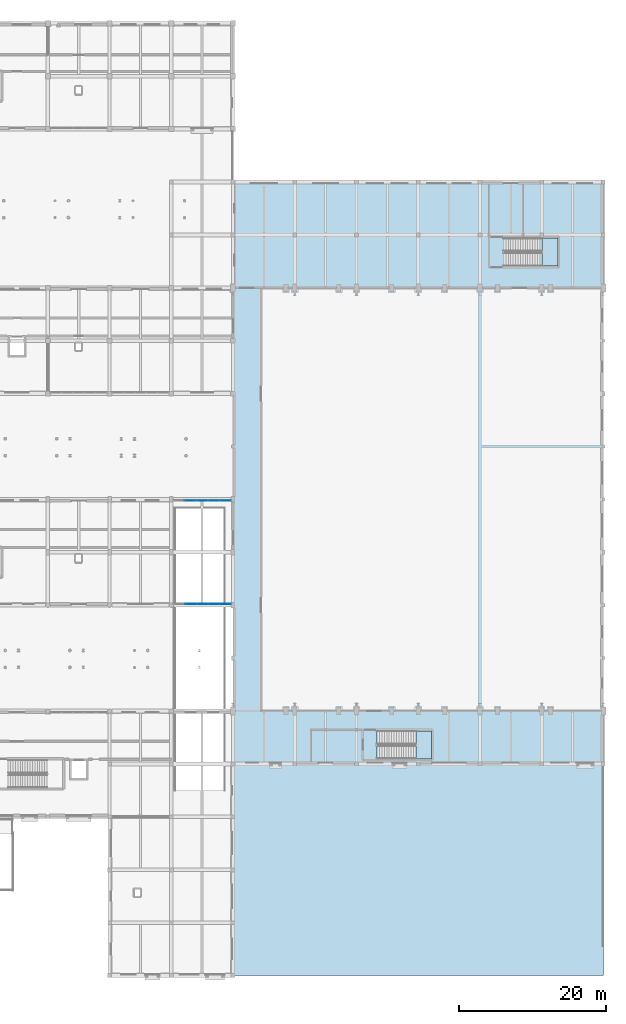
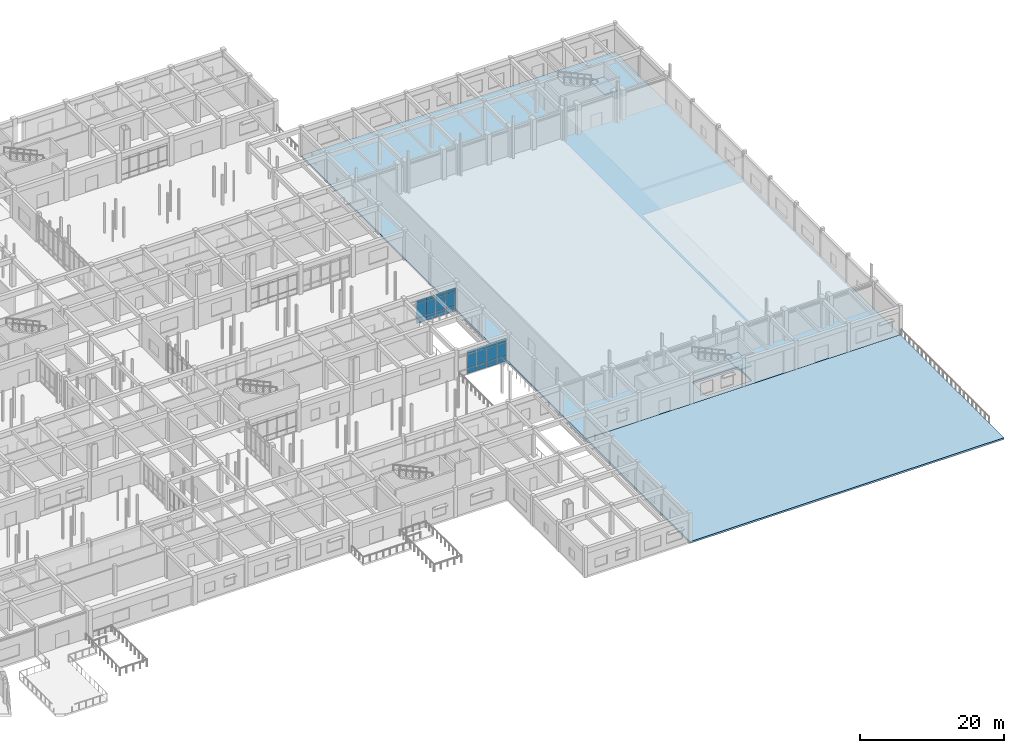
# One storey, part 71 of 121: 24 plates, 4 slabs, 4 elements without a shape of their own.
"""IFC4 building model written with IfcOpenShell, lengths in metres."""

from ifc_helpers import new_model, si_unit, direction, frame, origin, origin_2d, place, context, subcontext, project, spatial, polyline, rectangle, outline, extrude, material, layer, layer_set, type_object, element, aggregate, save


model = new_model("IFC4")

# Units and contexts
model_context = context("Model", 3, precision=1e-05, world=origin(), true_north=direction((0.0, 1.0)))
body_context = subcontext(model_context, "Body", "Model", "MODEL_VIEW")
ifc_project = project(units=[si_unit("LENGTHUNIT", "METRE"), si_unit("AREAUNIT", "SQUARE_METRE"), si_unit("VOLUMEUNIT", "CUBIC_METRE"), si_unit("PLANEANGLEUNIT", "RADIAN"), si_unit("MASSUNIT", "GRAM", prefix="KILO")], contexts=[model_context])

# Site, building, storey
site_placement = place(None, origin())
site = spatial("IfcSite", under=ifc_project, at=site_placement, CompositionType="ELEMENT")
building_placement = place(site_placement, origin())
building = spatial("IfcBuilding", under=site, at=building_placement, Name="Malvenik Polytechnic", CompositionType="ELEMENT")
storey_placement = place(building_placement, origin())
storey = spatial("IfcBuildingStorey", under=building, at=storey_placement, Name="L00", CompositionType="ELEMENT", Elevation=0.0)

# Curtain wall, plates
ifc_material_1 = material(Name="Anodised aluminium 6060-T6", Category="aluminium")
curtain_wall_type = type_object("IfcCurtainWallType", Name="ARC-CW-CW-01", PredefinedType="NOTDEFINED", material=ifc_material_1)
curtain_wall_1_placement = place(storey_placement, origin())
curtain_wall_1 = element("IfcCurtainWall", 1, at=curtain_wall_1_placement, inside=storey, type_object=curtain_wall_type, Name="Unitised Curtain Wall CW-01 L00 #14", PredefinedType="NOTDEFINED")
ifc_material_2 = material(Name="Triple solar-control glazing 8-14-6-14-8", Category="glass")
ifc_layer_1 = layer(ifc_material_2, 0.035888671875)
ifc_layer_set_1 = layer_set([ifc_layer_1], Name="Triple solar-control glazing 8-14-6-14-8")
plate_type_1 = type_object("IfcPlateType", Name="ARC-CWP-CP-GLZ36", PredefinedType="CURTAIN_PANEL", material=ifc_layer_set_1)
plate_1_placement = place(storey_placement, frame((133.3515625, 50.570068359375, 0.97998046875), z_axis=(0.0, 0.0, 1.0), x_axis=(-1.0, 0.0, 0.0)))
plate_1 = element("IfcPlate", 2, at=plate_1_placement, type_object=plate_type_1, Name="CW-01 panel 1.2", PredefinedType="CURTAIN_PANEL", context=body_context, shape_type="SweptSolid", body=[
    extrude(rectangle(XDim=1.480712890625, YDim=0.028076171875, at=origin_2d()), origin(), (0.0, 0.0, 1.0), 2.35009765625),
])
plate_2_placement = place(storey_placement, frame((133.3515625, 50.570068359375, 3.389892578125), z_axis=(0.0, 0.0, 1.0), x_axis=(-1.0, 0.0, 0.0)))
plate_2 = element("IfcPlate", 3, at=plate_2_placement, type_object=plate_type_1, Name="CW-01 panel 1.3", PredefinedType="CURTAIN_PANEL", context=body_context, shape_type="SweptSolid", body=[
    extrude(rectangle(XDim=1.480712890625, YDim=0.028076171875, at=origin_2d()), origin(), (0.0, 0.0, 1.0), 0.56005859375),
])
plate_3_placement = place(storey_placement, frame((131.7958984375, 50.570068359375, 0.97998046875), z_axis=(0.0, 0.0, 1.0), x_axis=(-1.0, 0.0, 0.0)))
plate_3 = element("IfcPlate", 4, at=plate_3_placement, type_object=plate_type_1, Name="CW-01 panel 2.2", PredefinedType="CURTAIN_PANEL", context=body_context, shape_type="SweptSolid", body=[
    extrude(rectangle(XDim=1.5107421875, YDim=0.028076171875, at=origin_2d()), origin(), (0.0, 0.0, 1.0), 2.35009765625),
])
plate_4_placement = place(storey_placement, frame((131.7958984375, 50.570068359375, 3.389892578125), z_axis=(0.0, 0.0, 1.0), x_axis=(-1.0, 0.0, 0.0)))
plate_4 = element("IfcPlate", 5, at=plate_4_placement, type_object=plate_type_1, Name="CW-01 panel 2.3", PredefinedType="CURTAIN_PANEL", context=body_context, shape_type="SweptSolid", body=[
    extrude(rectangle(XDim=1.5107421875, YDim=0.028076171875, at=origin_2d()), origin(), (0.0, 0.0, 1.0), 0.56005859375),
])
plate_5_placement = place(storey_placement, frame((130.22509765625, 50.570068359375, 0.97998046875), z_axis=(0.0, 0.0, 1.0), x_axis=(-1.0, 0.0, 0.0)))
plate_5 = element("IfcPlate", 6, at=plate_5_placement, type_object=plate_type_1, Name="CW-01 panel 3.2", PredefinedType="CURTAIN_PANEL", context=body_context, shape_type="SweptSolid", body=[
    extrude(rectangle(XDim=1.5107421875, YDim=0.028076171875, at=origin_2d()), origin(), (0.0, 0.0, 1.0), 2.35009765625),
])
plate_6_placement = place(storey_placement, frame((130.22509765625, 50.570068359375, 3.389892578125), z_axis=(0.0, 0.0, 1.0), x_axis=(-1.0, 0.0, 0.0)))
plate_6 = element("IfcPlate", 7, at=plate_6_placement, type_object=plate_type_1, Name="CW-01 panel 3.3", PredefinedType="CURTAIN_PANEL", context=body_context, shape_type="SweptSolid", body=[
    extrude(rectangle(XDim=1.5107421875, YDim=0.028076171875, at=origin_2d()), origin(), (0.0, 0.0, 1.0), 0.56005859375),
])
plate_7_placement = place(storey_placement, frame((128.654296875, 50.570068359375, 0.97998046875), z_axis=(0.0, 0.0, 1.0), x_axis=(-1.0, 0.0, 0.0)))
plate_7 = element("IfcPlate", 8, at=plate_7_placement, type_object=plate_type_1, Name="CW-01 panel 4.2", PredefinedType="CURTAIN_PANEL", context=body_context, shape_type="SweptSolid", body=[
    extrude(rectangle(XDim=1.5107421875, YDim=0.028076171875, at=origin_2d()), origin(), (0.0, 0.0, 1.0), 2.35009765625),
])
plate_8_placement = place(storey_placement, frame((128.654296875, 50.570068359375, 3.389892578125), z_axis=(0.0, 0.0, 1.0), x_axis=(-1.0, 0.0, 0.0)))
plate_8 = element("IfcPlate", 9, at=plate_8_placement, type_object=plate_type_1, Name="CW-01 panel 4.3", PredefinedType="CURTAIN_PANEL", context=body_context, shape_type="SweptSolid", body=[
    extrude(rectangle(XDim=1.5107421875, YDim=0.028076171875, at=origin_2d()), origin(), (0.0, 0.0, 1.0), 0.56005859375),
])

curtain_wall_2_placement = place(storey_placement, origin())
curtain_wall_2 = element("IfcCurtainWall", 10, at=curtain_wall_2_placement, inside=storey, type_object=curtain_wall_type, Name="Unitised Curtain Wall CW-01 L00 #22", PredefinedType="NOTDEFINED")
plate_9_placement = place(storey_placement, frame((128.619140625, 64.6298828125, 0.97998046875), z_axis=(0.0, 0.0, 1.0), x_axis=(1.0, 0.0, 0.0)))
plate_9 = element("IfcPlate", 11, at=plate_9_placement, type_object=plate_type_1, Name="CW-01 panel 2.2", PredefinedType="CURTAIN_PANEL", context=body_context, shape_type="SweptSolid", body=[
    extrude(rectangle(XDim=1.520751953125, YDim=0.028076171875, at=origin_2d()), origin(), (0.0, 0.0, 1.0), 2.35009765625),
])
plate_10_placement = place(storey_placement, frame((128.619140625, 64.6298828125, 3.389892578125), z_axis=(0.0, 0.0, 1.0), x_axis=(1.0, 0.0, 0.0)))
plate_10 = element("IfcPlate", 12, at=plate_10_placement, type_object=plate_type_1, Name="CW-01 panel 2.3", PredefinedType="CURTAIN_PANEL", context=body_context, shape_type="SweptSolid", body=[
    extrude(rectangle(XDim=1.520751953125, YDim=0.028076171875, at=origin_2d()), origin(), (0.0, 0.0, 1.0), 0.56005859375),
])
plate_11_placement = place(storey_placement, frame((130.199951171875, 64.6298828125, 0.97998046875), z_axis=(0.0, 0.0, 1.0), x_axis=(1.0, 0.0, 0.0)))
plate_11 = element("IfcPlate", 13, at=plate_11_placement, type_object=plate_type_1, Name="CW-01 panel 3.2", PredefinedType="CURTAIN_PANEL", context=body_context, shape_type="SweptSolid", body=[
    extrude(rectangle(XDim=1.520751953125, YDim=0.028076171875, at=origin_2d()), origin(), (0.0, 0.0, 1.0), 2.35009765625),
])
plate_12_placement = place(storey_placement, frame((130.199951171875, 64.6298828125, 3.389892578125), z_axis=(0.0, 0.0, 1.0), x_axis=(1.0, 0.0, 0.0)))
plate_12 = element("IfcPlate", 14, at=plate_12_placement, type_object=plate_type_1, Name="CW-01 panel 3.3", PredefinedType="CURTAIN_PANEL", context=body_context, shape_type="SweptSolid", body=[
    extrude(rectangle(XDim=1.520751953125, YDim=0.028076171875, at=origin_2d()), origin(), (0.0, 0.0, 1.0), 0.56005859375),
])
plate_13_placement = place(storey_placement, frame((131.78076171875, 64.6298828125, 0.97998046875), z_axis=(0.0, 0.0, 1.0), x_axis=(1.0, 0.0, 0.0)))
plate_13 = element("IfcPlate", 15, at=plate_13_placement, type_object=plate_type_1, Name="CW-01 panel 4.2", PredefinedType="CURTAIN_PANEL", context=body_context, shape_type="SweptSolid", body=[
    extrude(rectangle(XDim=1.520751953125, YDim=0.028076171875, at=origin_2d()), origin(), (0.0, 0.0, 1.0), 2.35009765625),
])
plate_14_placement = place(storey_placement, frame((131.78076171875, 64.6298828125, 3.389892578125), z_axis=(0.0, 0.0, 1.0), x_axis=(1.0, 0.0, 0.0)))
plate_14 = element("IfcPlate", 16, at=plate_14_placement, type_object=plate_type_1, Name="CW-01 panel 4.3", PredefinedType="CURTAIN_PANEL", context=body_context, shape_type="SweptSolid", body=[
    extrude(rectangle(XDim=1.520751953125, YDim=0.028076171875, at=origin_2d()), origin(), (0.0, 0.0, 1.0), 0.56005859375),
])
plate_15_placement = place(storey_placement, frame((133.3466796875, 64.6298828125, 0.97998046875), z_axis=(0.0, 0.0, 1.0), x_axis=(1.0, 0.0, 0.0)))
plate_15 = element("IfcPlate", 17, at=plate_15_placement, type_object=plate_type_1, Name="CW-01 panel 5.2", PredefinedType="CURTAIN_PANEL", context=body_context, shape_type="SweptSolid", body=[
    extrude(rectangle(XDim=1.49072265625, YDim=0.028076171875, at=origin_2d()), origin(), (0.0, 0.0, 1.0), 2.35009765625),
])
plate_16_placement = place(storey_placement, frame((133.3466796875, 64.6298828125, 3.389892578125), z_axis=(0.0, 0.0, 1.0), x_axis=(1.0, 0.0, 0.0)))
plate_16 = element("IfcPlate", 18, at=plate_16_placement, type_object=plate_type_1, Name="CW-01 panel 5.3", PredefinedType="CURTAIN_PANEL", context=body_context, shape_type="SweptSolid", body=[
    extrude(rectangle(XDim=1.49072265625, YDim=0.028076171875, at=origin_2d()), origin(), (0.0, 0.0, 1.0), 0.56005859375),
])

# Plate
ifc_material_3 = material(Name="Insulated aluminium spandrel cassette 42mm", Category="aluminium")
ifc_layer_2 = layer(ifc_material_3, 0.0419921875)
ifc_layer_set_2 = layer_set([ifc_layer_2], Name="Insulated aluminium spandrel cassette 42mm")
plate_type_2 = type_object("IfcPlateType", Name="ARC-CWP-CP-SPN42", PredefinedType="CURTAIN_PANEL", material=ifc_layer_set_2)
plate_17_placement = place(storey_placement, frame((133.3515625, 50.570068359375, 0.06005859375), z_axis=(0.0, 0.0, 1.0), x_axis=(-1.0, 0.0, 0.0)))
plate_17 = element("IfcPlate", 19, at=plate_17_placement, type_object=plate_type_2, Name="CW-01 panel 1.1", PredefinedType="CURTAIN_PANEL", context=body_context, shape_type="SweptSolid", body=[
    extrude(rectangle(XDim=1.480712890625, YDim=0.028076171875, at=origin_2d()), origin(), (0.0, 0.0, 1.0), 0.860107421875),
])

plate_18_placement = place(storey_placement, frame((131.7958984375, 50.570068359375, 0.06005859375), z_axis=(0.0, 0.0, 1.0), x_axis=(-1.0, 0.0, 0.0)))
plate_18 = element("IfcPlate", 20, at=plate_18_placement, type_object=plate_type_2, Name="CW-01 panel 2.1", PredefinedType="CURTAIN_PANEL", context=body_context, shape_type="SweptSolid", body=[
    extrude(rectangle(XDim=1.5107421875, YDim=0.028076171875, at=origin_2d()), origin(), (0.0, 0.0, 1.0), 0.860107421875),
])

plate_19_placement = place(storey_placement, frame((130.22509765625, 50.570068359375, 0.06005859375), z_axis=(0.0, 0.0, 1.0), x_axis=(-1.0, 0.0, 0.0)))
plate_19 = element("IfcPlate", 21, at=plate_19_placement, type_object=plate_type_2, Name="CW-01 panel 3.1", PredefinedType="CURTAIN_PANEL", context=body_context, shape_type="SweptSolid", body=[
    extrude(rectangle(XDim=1.5107421875, YDim=0.028076171875, at=origin_2d()), origin(), (0.0, 0.0, 1.0), 0.860107421875),
])

plate_20_placement = place(storey_placement, frame((128.654296875, 50.570068359375, 0.06005859375), z_axis=(0.0, 0.0, 1.0), x_axis=(-1.0, 0.0, 0.0)))
plate_20 = element("IfcPlate", 22, at=plate_20_placement, type_object=plate_type_2, Name="CW-01 panel 4.1", PredefinedType="CURTAIN_PANEL", context=body_context, shape_type="SweptSolid", body=[
    extrude(rectangle(XDim=1.5107421875, YDim=0.028076171875, at=origin_2d()), origin(), (0.0, 0.0, 1.0), 0.860107421875),
])

aggregate(curtain_wall_1, [plate_17, plate_1, plate_2, plate_18, plate_3, plate_4, plate_19, plate_5, plate_6, plate_20, plate_7, plate_8])

plate_21_placement = place(storey_placement, frame((128.619140625, 64.6298828125, 0.06005859375), z_axis=(0.0, 0.0, 1.0), x_axis=(1.0, 0.0, 0.0)))
plate_21 = element("IfcPlate", 23, at=plate_21_placement, type_object=plate_type_2, Name="CW-01 panel 2.1", PredefinedType="CURTAIN_PANEL", context=body_context, shape_type="SweptSolid", body=[
    extrude(rectangle(XDim=1.520751953125, YDim=0.028076171875, at=origin_2d()), origin(), (0.0, 0.0, 1.0), 0.860107421875),
])

plate_22_placement = place(storey_placement, frame((130.199951171875, 64.6298828125, 0.06005859375), z_axis=(0.0, 0.0, 1.0), x_axis=(1.0, 0.0, 0.0)))
plate_22 = element("IfcPlate", 24, at=plate_22_placement, type_object=plate_type_2, Name="CW-01 panel 3.1", PredefinedType="CURTAIN_PANEL", context=body_context, shape_type="SweptSolid", body=[
    extrude(rectangle(XDim=1.520751953125, YDim=0.028076171875, at=origin_2d()), origin(), (0.0, 0.0, 1.0), 0.860107421875),
])

plate_23_placement = place(storey_placement, frame((131.78076171875, 64.6298828125, 0.06005859375), z_axis=(0.0, 0.0, 1.0), x_axis=(1.0, 0.0, 0.0)))
plate_23 = element("IfcPlate", 25, at=plate_23_placement, type_object=plate_type_2, Name="CW-01 panel 4.1", PredefinedType="CURTAIN_PANEL", context=body_context, shape_type="SweptSolid", body=[
    extrude(rectangle(XDim=1.520751953125, YDim=0.028076171875, at=origin_2d()), origin(), (0.0, 0.0, 1.0), 0.860107421875),
])

plate_24_placement = place(storey_placement, frame((133.3466796875, 64.6298828125, 0.06005859375), z_axis=(0.0, 0.0, 1.0), x_axis=(1.0, 0.0, 0.0)))
plate_24 = element("IfcPlate", 26, at=plate_24_placement, type_object=plate_type_2, Name="CW-01 panel 5.1", PredefinedType="CURTAIN_PANEL", context=body_context, shape_type="SweptSolid", body=[
    extrude(rectangle(XDim=1.49072265625, YDim=0.028076171875, at=origin_2d()), origin(), (0.0, 0.0, 1.0), 0.860107421875),
])

aggregate(curtain_wall_2, [plate_21, plate_9, plate_10, plate_22, plate_11, plate_12, plate_23, plate_13, plate_14, plate_24, plate_15, plate_16])

# Stair, slab
ifc_material_4 = material(Name="Concrete C35/45", Category="concrete")
stair_type_1 = type_object("IfcStairType", Name="ARC-STR-ST-12", PredefinedType="HALF_TURN_STAIR", material=ifc_material_4)
stair_1_placement = place(storey_placement, origin())
stair_1 = element("IfcStair", 27, at=stair_1_placement, inside=storey, type_object=stair_type_1, Name="L00 Escape Stair ST-12", PredefinedType="HALF_TURN_STAIR")
ifc_layer_3 = layer(ifc_material_4, 0.199951171875)
ifc_layer_set_3 = layer_set([ifc_layer_3], Name="Concrete C35/45")
slab_type_1 = type_object("IfcSlabType", Name="ARC-SLB-STLND", PredefinedType="LANDING", material=ifc_layer_set_3)
slab_1_placement = place(storey_placement, frame((0.0, 0.0, 2.35009765625)))
slab_1 = element("IfcSlab", 28, at=slab_1_placement, type_object=slab_type_1, Name="ST-12 landing 1", PredefinedType="LANDING", context=body_context, shape_type="SweptSolid", body=[
    extrude(outline(polyline([(176.47998046875, 96.550048828125), (178.60009765625, 96.550048828125), (178.60009765625, 100.35009765625), (176.47998046875, 100.35009765625), (176.47998046875, 96.550048828125)])), origin(), (0.0, 0.0, 1.0), 0.199951171875),
])
aggregate(stair_1, [slab_1])

stair_type_2 = type_object("IfcStairType", Name="ARC-STR-ST-13", PredefinedType="HALF_TURN_STAIR", material=ifc_material_4)
stair_2_placement = place(storey_placement, origin())
stair_2 = element("IfcStair", 29, at=stair_2_placement, inside=storey, type_object=stair_type_2, Name="L00 Escape Stair ST-13", PredefinedType="HALF_TURN_STAIR")
slab_2_placement = place(storey_placement, frame((0.0, 0.0, 2.35009765625)))
slab_2 = element("IfcSlab", 30, at=slab_2_placement, type_object=slab_type_1, Name="ST-13 landing 1", PredefinedType="LANDING", context=body_context, shape_type="SweptSolid", body=[
    extrude(outline(polyline([(159.280029296875, 29.5), (161.39990234375, 29.5), (161.39990234375, 33.300048828125), (159.280029296875, 33.300048828125), (159.280029296875, 29.5)])), origin(), (0.0, 0.0, 1.0), 0.199951171875),
])
aggregate(stair_2, [slab_2])

# Slabs
ifc_layer_4 = layer(ifc_material_4, 0.300048828125)
ifc_layer_set_4 = layer_set([ifc_layer_4], Name="Concrete C35/45")
slab_type_2 = type_object("IfcSlabType", Name="STR-SLB-FLR-300", PredefinedType="FLOOR", material=ifc_layer_set_4)
slab_3_placement = place(storey_placement, frame((0.0, 0.0, -0.300048828125)))
element("IfcSlab", 31, at=slab_3_placement, inside=storey, type_object=slab_type_2, Name="Exterior Terrace Slab L00 #37", PredefinedType="FLOOR", context=body_context, shape_type="SweptSolid", body=[
    extrude(outline(polyline([(184.800048828125, 28.799560546875), (184.800048828125, 0.00048828125), (184.800048828125, 0.0), (184.799560546875, 0.0), (134.419921875, 0.0), (134.419921875, 28.800048828125), (184.799560546875, 28.800048828125), (184.800048828125, 28.800048828125), (184.800048828125, 28.799560546875)])), origin(), (0.0, 0.0, 1.0), 0.300048828125),
])
ifc_material_5 = material(Name="Concrete C40/50", Category="concrete")
ifc_layer_5 = layer(ifc_material_5, 0.340087890625)
ifc_layer_set_5 = layer_set([ifc_layer_5], Name="Concrete C40/50")
slab_type_3 = type_object("IfcSlabType", Name="STR-SLB-WKS-340", PredefinedType="FLOOR", material=ifc_layer_set_5)
slab_4_placement = place(storey_placement, frame((0.0, 0.0, -0.340087890625)))
element("IfcSlab", 32, at=slab_4_placement, inside=storey, type_object=slab_type_3, Name="Structural Slab L00-V5 #34", PredefinedType="FLOOR", context=body_context, shape_type="SweptSolid", body=[
    extrude(outline(polyline([(184.800048828125, 28.800048828125), (134.419921875, 28.800048828125), (134.419921875, 108.0), (184.800048828125, 108.0), (184.800048828125, 28.800048828125)]), holes=[polyline([(161.39990234375, 29.5), (161.39990234375, 33.300048828125), (154.01806640625, 33.300048828125), (154.01806640625, 29.5), (161.39990234375, 29.5)])]), origin(), (0.0, 0.0, 1.0), 0.340087890625),
])

save(model, "model.ifc")
